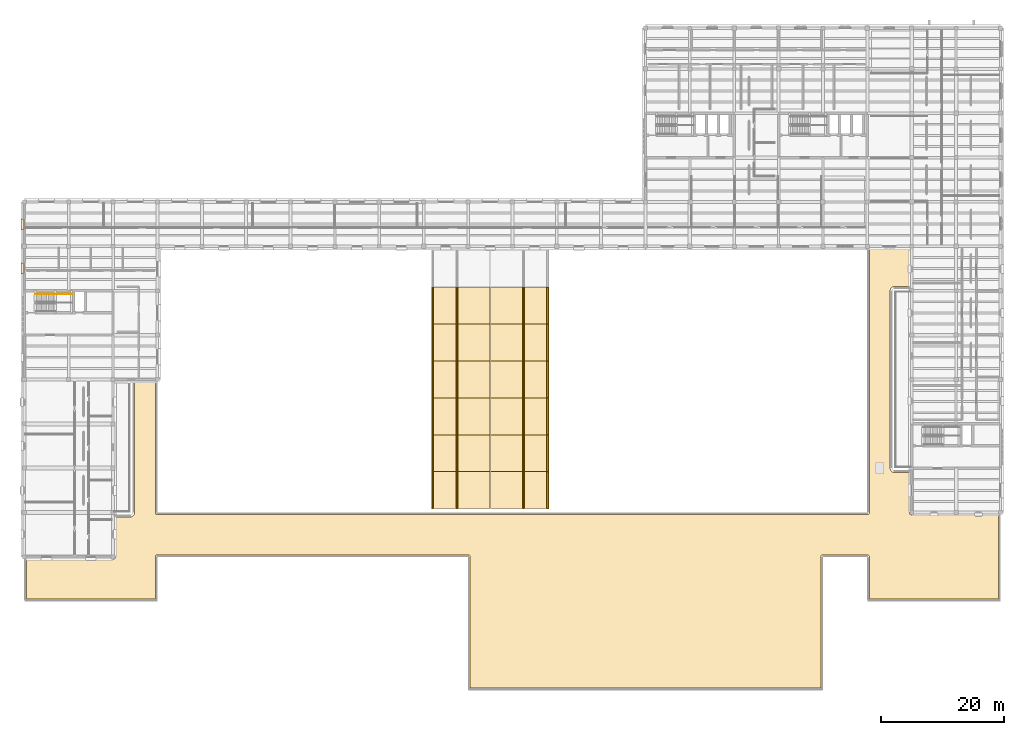
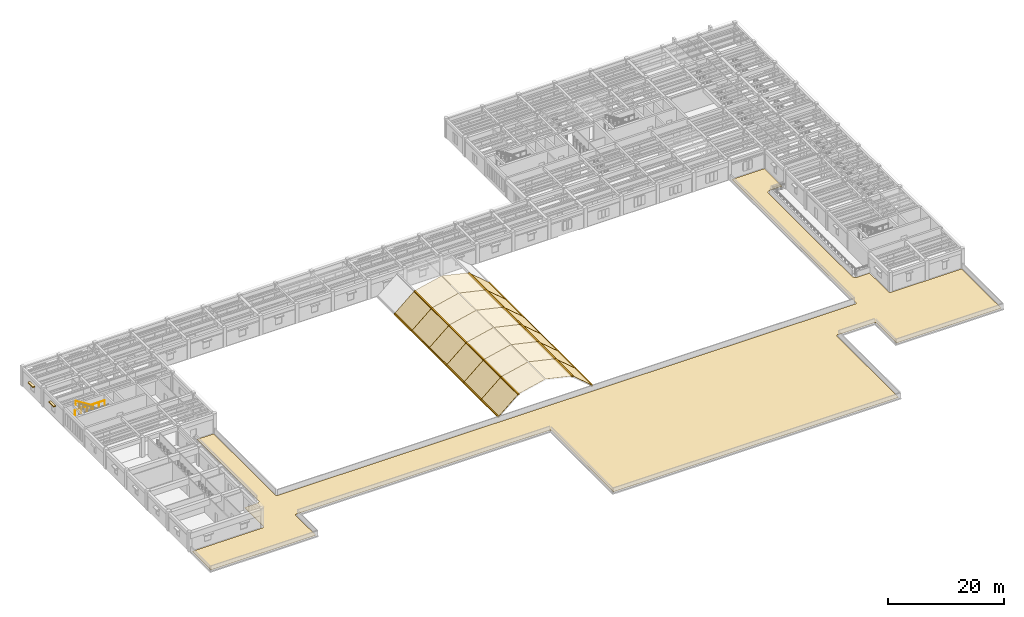
# One storey, part 35 of 40: 51 coverings, 2 railings.
"""IFC4 building model written with IfcOpenShell, lengths in metres."""

from ifc_helpers import new_model, si_unit, direction, frame, origin, origin_2d, place, context, subcontext, project, spatial, polyline, rectangle, circle, outline, extrude, material, layer, layer_set, type_object, element, save


model = new_model("IFC4")

# Units and contexts
model_context = context("Model", 3, precision=1e-05, world=origin(), true_north=direction((0.0, 1.0)))
body_context = subcontext(model_context, "Body", "Model", "MODEL_VIEW")
ifc_project = project(units=[si_unit("LENGTHUNIT", "METRE"), si_unit("AREAUNIT", "SQUARE_METRE"), si_unit("VOLUMEUNIT", "CUBIC_METRE"), si_unit("PLANEANGLEUNIT", "RADIAN"), si_unit("MASSUNIT", "GRAM", prefix="KILO")], contexts=[model_context])

# Site, building, storey
site_placement = place(None, origin())
site = spatial("IfcSite", under=ifc_project, at=site_placement, CompositionType="ELEMENT")
building_placement = place(site_placement, origin())
building = spatial("IfcBuilding", under=site, at=building_placement, Name="Mithqara Police Headquarters", CompositionType="ELEMENT")
storey_placement = place(building_placement, frame((0.0, 0.0, 13.800048828125)))
storey = spatial("IfcBuildingStorey", under=building, at=storey_placement, Name="L03", CompositionType="ELEMENT", Elevation=13.800048828125)

# Coverings
ifc_material_1 = material(Name="Limestone ashlar masonry, 45 MPa", Category="masonry")
ifc_layer_1 = layer(ifc_material_1, 0.320068359375, Name="Limestone ashlar masonry, 45 MPa")
ifc_layer_set_1 = layer_set([ifc_layer_1], Name="Limestone ashlar masonry, 45 MPa")
covering_type_1 = type_object("IfcCoveringType", Name="CORNICE LIMESTONE", PredefinedType="CLADDING", material=ifc_layer_set_1)
for number, where, z_axis, x_axis, name in (
    (1, (74.046875, 39.04296875, 0.1796875), (0.0, 0.0, 1.0), (1.0, 0.0, 0.0), "Arch Flashing Seam Trim B1-K1"),
    (2, (78.0, 39.04296875, 3.54736328125), (0.0, 0.0, 1.0), (1.0, 0.0, 0.0), "Arch Flashing Seam Trim B1-K2"),
    (3, (88.800048828125, 39.04296875, 3.54736328125), (0.0, 0.0, 1.0), (1.0, 0.0, 0.0), "Arch Flashing Seam Trim B1-K4"),
    (4, (92.753173828125, 39.04296875, 0.1796875), (0.0, 0.0, 1.0), (1.0, 0.0, 0.0), "Arch Flashing Seam Trim B1-K5"),
    (5, (74.046875, 45.028564453125, 0.1796875), (0.0, 0.0, 1.0), (1.0, 0.0, 0.0), "Arch Flashing Seam Trim B2-K1"),
    (6, (78.0, 45.028564453125, 3.54736328125), (0.0, 0.0, 1.0), (1.0, 0.0, 0.0), "Arch Flashing Seam Trim B2-K2"),
    (7, (88.800048828125, 45.028564453125, 3.54736328125), (0.0, 0.0, 1.0), (1.0, 0.0, 0.0), "Arch Flashing Seam Trim B2-K4"),
    (8, (92.753173828125, 45.028564453125, 0.1796875), (0.0, 0.0, 1.0), (1.0, 0.0, 0.0), "Arch Flashing Seam Trim B2-K5"),
    (9, (74.046875, 51.014404296875, 0.1796875), (0.0, 0.0, 1.0), (1.0, 0.0, 0.0), "Arch Flashing Seam Trim B3-K1"),
    (10, (78.0, 51.014404296875, 3.54736328125), (0.0, 0.0, 1.0), (1.0, 0.0, 0.0), "Arch Flashing Seam Trim B3-K2"),
    (11, (88.800048828125, 51.014404296875, 3.54736328125), (0.0, 0.0, 1.0), (1.0, 0.0, 0.0), "Arch Flashing Seam Trim B3-K4"),
    (12, (92.753173828125, 51.014404296875, 0.1796875), (0.0, 0.0, 1.0), (1.0, 0.0, 0.0), "Arch Flashing Seam Trim B3-K5"),
    (13, (74.046875, 57.0, 0.1796875), (0.0, 0.0, 1.0), (1.0, 0.0, 0.0), "Arch Flashing Seam Trim B4-K1"),
    (14, (78.0, 57.0, 3.54736328125), (0.0, 0.0, 1.0), (1.0, 0.0, 0.0), "Arch Flashing Seam Trim B4-K2"),
    (15, (88.800048828125, 57.0, 3.54736328125), (0.0, 0.0, 1.0), (1.0, 0.0, 0.0), "Arch Flashing Seam Trim B4-K4"),
    (16, (92.753173828125, 57.0, 0.1796875), (0.0, 0.0, 1.0), (1.0, 0.0, 0.0), "Arch Flashing Seam Trim B4-K5"),
    (17, (74.046875, 62.985595703125, 0.1796875), (0.0, 0.0, 1.0), (1.0, 0.0, 0.0), "Arch Flashing Seam Trim B5-K1"),
    (18, (78.0, 62.985595703125, 3.54736328125), (0.0, 0.0, 1.0), (1.0, 0.0, 0.0), "Arch Flashing Seam Trim B5-K2"),
    (19, (88.800048828125, 62.985595703125, 3.54736328125), (0.0, 0.0, 1.0), (1.0, 0.0, 0.0), "Arch Flashing Seam Trim B5-K4"),
    (20, (92.753173828125, 62.985595703125, 0.1796875), (0.0, 0.0, 1.0), (1.0, 0.0, 0.0), "Arch Flashing Seam Trim B5-K5"),
    (21, (74.046875, 68.971435546875, 0.1796875), (0.0, 0.0, 1.0), (1.0, 0.0, 0.0), "Arch Flashing Seam Trim B6-K1"),
    (22, (78.0, 68.971435546875, 3.54736328125), (0.0, 0.0, 1.0), (1.0, 0.0, 0.0), "Arch Flashing Seam Trim B6-K2"),
    (23, (88.800048828125, 68.971435546875, 3.54736328125), (0.0, 0.0, 1.0), (1.0, 0.0, 0.0), "Arch Flashing Seam Trim B6-K4"),
    (24, (92.753173828125, 68.971435546875, 0.1796875), (0.0, 0.0, 1.0), (1.0, 0.0, 0.0), "Arch Flashing Seam Trim B6-K5"),
):
    element("IfcCovering", number, at=place(storey_placement, frame(where, z_axis=z_axis, x_axis=x_axis)), inside=storey, type_object=covering_type_1, Name=name, PredefinedType="CLADDING", context=body_context, shape_type="SweptSolid", body=[
        extrude(rectangle(XDim=0.300048828125, YDim=6.02587890625, at=origin_2d()), origin(), (0.0, 0.0, 1.0), 0.300048828125),
    ])

# Railings
ifc_material_2 = material(Name="Steel S355JR", Category="steel")
railing_type_1 = type_object("IfcRailingType", Name="HANDRAIL 920", PredefinedType="HANDRAIL", material=ifc_material_2)
railing_1_placement = place(storey_placement, frame((12.830078125, 70.85009765625, 2.27490234375)))
element("IfcRailing", 25, at=railing_1_placement, inside=storey, type_object=railing_type_1, Name="L03 ST-03 stair handrail 2", PredefinedType="HANDRAIL", context=body_context, shape_type="SweptSolid", body=[
    extrude(circle(Radius=0.02392578125, at=origin_2d()), frame((0.0, 0.0, 0.8759765625), z_axis=(-0.847998304005, 0.0, 0.529998940003), x_axis=(0.0, -1.0, 0.0)), (0.0, 0.0, 1.0), 3.632080078125),
    extrude(circle(Radius=0.02099609375, at=origin_2d()), origin(), (0.0, 0.0, 1.0), 0.851806640625),
    extrude(circle(Radius=0.02099609375, at=origin_2d()), frame((-0.77001953125, 0.0, 0.481201171875)), (0.0, 0.0, 1.0), 0.851806640625),
    extrude(circle(Radius=0.02099609375, at=origin_2d()), frame((-1.5400390625, 0.0, 0.96240234375)), (0.0, 0.0, 1.0), 0.851806640625),
    extrude(circle(Radius=0.02099609375, at=origin_2d()), frame((-2.31005859375, 0.0, 1.44384765625)), (0.0, 0.0, 1.0), 0.851806640625),
    extrude(circle(Radius=0.02099609375, at=origin_2d()), frame((-3.080078125, 0.0, 1.925048828125)), (0.0, 0.0, 1.0), 0.851806640625),
])
railing_type_2 = type_object("IfcRailingType", Name="STAIR GUARD 1120", PredefinedType="GUARDRAIL", material=ifc_material_2)
railing_2_placement = place(storey_placement, frame((9.60009765625, 70.8798828125, 2.099853515625)))
element("IfcRailing", 26, at=railing_2_placement, inside=storey, type_object=railing_type_2, Name="L03 ST-03 Half-Landing Guard OUT", PredefinedType="GUARDRAIL", context=body_context, shape_type="SweptSolid", body=[
    extrude(circle(Radius=0.02392578125, at=origin_2d()), frame((0.0, 0.0, 1.09619140625), z_axis=(1.0, 0.0, 0.0), x_axis=(0.0, 1.0, 0.0)), (0.0, 0.0, 1.0), 5.97998046875),
    extrude(circle(Radius=0.02099609375, at=origin_2d()), origin(), (0.0, 0.0, 1.0), 1.072021484375),
    extrude(circle(Radius=0.02099609375, at=origin_2d()), frame((1.196044921875, 0.0, 0.0)), (0.0, 0.0, 1.0), 1.072021484375),
    extrude(circle(Radius=0.02099609375, at=origin_2d()), frame((2.39208984375, 0.0, 0.0)), (0.0, 0.0, 1.0), 1.072021484375),
    extrude(circle(Radius=0.02099609375, at=origin_2d()), frame((3.587890625, 0.0, 0.0)), (0.0, 0.0, 1.0), 1.072021484375),
    extrude(circle(Radius=0.02099609375, at=origin_2d()), frame((4.783935546875, 0.0, 0.0)), (0.0, 0.0, 1.0), 1.072021484375),
    extrude(circle(Radius=0.02099609375, at=origin_2d()), frame((5.97998046875, 0.0, 0.0)), (0.0, 0.0, 1.0), 1.072021484375),
])

# Coverings
ifc_material_3 = material(Name="Standing seam zinc-aluminium roofing", Category="aluminium")
ifc_layer_2 = layer(ifc_material_3, 0.0400390625, Name="Standing seam zinc-aluminium roofing")
ifc_layer_set_2 = layer_set([ifc_layer_2], Name="Standing seam zinc-aluminium roofing")
covering_type_2 = type_object("IfcCoveringType", Name="STANDING SEAM ROOFING", PredefinedType="ROOFING", material=ifc_layer_set_2)
covering_1_placement = place(storey_placement, origin())
element("IfcCovering", 27, at=covering_1_placement, inside=storey, type_object=covering_type_2, Name="L03 Insulated Roof Waterproofing ROOF-L02-00", PredefinedType="ROOFING", context=body_context, shape_type="SweptSolid", body=[
    extrude(outline(polyline([(13.681884765625, 27.849609375), (13.68701171875, 27.84765625), (13.688720703125, 27.84716796875), (13.705078125, 27.84228515625), (13.70703125, 27.841796875), (13.741455078125, 27.834716796875), (13.743408203125, 27.83447265625), (13.780517578125, 27.83056640625), (13.782470703125, 27.830322265625), (13.800048828125, 27.830078125), (22.199951171875, 27.830078125), (22.217529296875, 27.830322265625), (22.219482421875, 27.83056640625), (22.256591796875, 27.83447265625), (22.258544921875, 27.834716796875), (22.29296875, 27.841796875), (22.294921875, 27.84228515625), (22.311279296875, 27.84716796875), (22.31298828125, 27.84765625), (22.3427734375, 27.858642578125), (22.37158203125, 27.872314453125), (22.373291015625, 27.873046875), (22.386962890625, 27.880615234375), (22.388671875, 27.881591796875), (22.409423828125, 27.89501953125), (22.410888671875, 27.89599609375), (22.4365234375, 27.915283203125), (22.460205078125, 27.93701171875), (22.462890625, 27.939697265625), (22.484619140625, 27.96337890625), (22.50390625, 27.989013671875), (22.5048828125, 27.990478515625), (22.518310546875, 28.011474609375), (22.519287109375, 28.01318359375), (22.52685546875, 28.02685546875), (22.52783203125, 28.028564453125), (22.54150390625, 28.05712890625), (22.55224609375, 28.0869140625), (22.552978515625, 28.0888671875), (22.5576171875, 28.10498046875), (22.55810546875, 28.10693359375), (22.565185546875, 28.1416015625), (22.565673828125, 28.143310546875), (22.569580078125, 28.180419921875), (22.569580078125, 28.1826171875), (22.570068359375, 28.199951171875), (22.570068359375, 34.699951171875), (25.0, 34.699951171875), (25.017333984375, 34.700439453125), (25.051513671875, 34.7021484375), (25.085205078125, 34.705322265625), (25.119140625, 34.71044921875), (25.15380859375, 34.71728515625), (25.187255859375, 34.7255859375), (25.218994140625, 34.7353515625), (25.251220703125, 34.746826171875), (25.283447265625, 34.76025390625), (25.314697265625, 34.77490234375), (25.345458984375, 34.79150390625), (25.375, 34.80908203125), (25.40234375, 34.827392578125), (25.429931640625, 34.847900390625), (25.45703125, 34.8701171875), (25.482421875, 34.89306640625), (25.5068359375, 34.91748046875), (25.530029296875, 34.943115234375), (25.552001953125, 34.969970703125), (25.572509765625, 34.99755859375), (25.5908203125, 35.025146484375), (25.608642578125, 35.054443359375), (25.625, 35.08544921875), (25.639892578125, 35.116455078125), (25.653076171875, 35.148681640625), (25.66455078125, 35.180908203125), (25.67431640625, 35.212890625), (25.6826171875, 35.24609375), (25.689697265625, 35.28076171875), (25.694580078125, 35.314697265625), (25.697998046875, 35.348388671875), (25.69970703125, 35.3828125), (25.699951171875, 35.39990234375), (25.699951171875, 56.6298828125), (29.050048828125, 56.6298828125), (29.050048828125, 35.39990234375), (29.0517578125, 35.36572265625), (29.056640625, 35.331787109375), (29.065185546875, 35.29833984375), (29.07666015625, 35.26611328125), (29.09130859375, 35.235107421875), (29.10888671875, 35.20556640625), (29.12939453125, 35.177978515625), (29.152587890625, 35.152587890625), (29.177978515625, 35.12939453125), (29.20556640625, 35.10888671875), (29.235107421875, 35.09130859375), (29.26611328125, 35.07666015625), (29.29833984375, 35.065185546875), (29.331787109375, 35.056640625), (29.36572265625, 35.0517578125), (29.39990234375, 35.050048828125), (144.60009765625, 35.050048828125), (144.63427734375, 35.0517578125), (144.668212890625, 35.056640625), (144.70166015625, 35.065185546875), (144.73388671875, 35.07666015625), (144.764892578125, 35.09130859375), (144.79443359375, 35.10888671875), (144.822021484375, 35.12939453125), (144.847412109375, 35.152587890625), (144.87060546875, 35.177978515625), (144.89111328125, 35.20556640625), (144.90869140625, 35.235107421875), (144.92333984375, 35.26611328125), (144.934814453125, 35.29833984375), (144.943359375, 35.331787109375), (144.9482421875, 35.36572265625), (144.949951171875, 35.39990234375), (144.949951171875, 78.22998046875), (146.39990234375, 78.22998046875), (146.41748046875, 78.23046875), (146.41943359375, 78.23046875), (146.45654296875, 78.234375), (146.45849609375, 78.234619140625), (146.4716796875, 78.237548828125), (150.481689453125, 78.249755859375), (150.48681640625, 78.247802734375), (150.48876953125, 78.2470703125), (150.505126953125, 78.242431640625), (150.507080078125, 78.241943359375), (150.54150390625, 78.234619140625), (150.54345703125, 78.234375), (150.58056640625, 78.23046875), (150.58251953125, 78.23046875), (150.60009765625, 78.22998046875), (151.429931640625, 78.22998046875), (151.429931640625, 72.10009765625), (149.0, 72.10009765625), (148.982666015625, 72.099609375), (148.948486328125, 72.097900390625), (148.914794921875, 72.094482421875), (148.880859375, 72.089599609375), (148.84619140625, 72.082763671875), (148.812744140625, 72.07421875), (148.781005859375, 72.064697265625), (148.748779296875, 72.052978515625), (148.716552734375, 72.039794921875), (148.685302734375, 72.025146484375), (148.654541015625, 72.008544921875), (148.625, 71.990966796875), (148.59765625, 71.972412109375), (148.570068359375, 71.9521484375), (148.54296875, 71.929931640625), (148.517578125, 71.906982421875), (148.4931640625, 71.882568359375), (148.469970703125, 71.85693359375), (148.447998046875, 71.830078125), (148.427490234375, 71.802490234375), (148.4091796875, 71.77490234375), (148.391357421875, 71.74560546875), (148.375, 71.714599609375), (148.360107421875, 71.68359375), (148.346923828125, 71.6513671875), (148.33544921875, 71.618896484375), (148.32568359375, 71.587158203125), (148.3173828125, 71.553955078125), (148.310302734375, 71.519287109375), (148.305419921875, 71.485107421875), (148.302001953125, 71.45166015625), (148.30029296875, 71.417236328125), (148.300048828125, 71.39990234375), (148.300048828125, 42.60009765625), (148.30029296875, 42.582763671875), (148.302001953125, 42.54833984375), (148.305419921875, 42.514892578125), (148.310302734375, 42.480712890625), (148.3173828125, 42.446044921875), (148.32568359375, 42.412841796875), (148.33544921875, 42.381103515625), (148.346923828125, 42.3486328125), (148.360107421875, 42.31640625), (148.375, 42.285400390625), (148.391357421875, 42.25439453125), (148.4091796875, 42.22509765625), (148.427490234375, 42.197509765625), (148.447998046875, 42.169921875), (148.469970703125, 42.14306640625), (148.4931640625, 42.117431640625), (148.517578125, 42.093017578125), (148.54296875, 42.070068359375), (148.570068359375, 42.0478515625), (148.59765625, 42.027587890625), (148.625, 42.009033203125), (148.654541015625, 41.991455078125), (148.685302734375, 41.974853515625), (148.716552734375, 41.960205078125), (148.748779296875, 41.947021484375), (148.781005859375, 41.935302734375), (148.812744140625, 41.92578125), (148.84619140625, 41.917236328125), (148.880859375, 41.910400390625), (148.914794921875, 41.905517578125), (148.948486328125, 41.902099609375), (148.982666015625, 41.900390625), (149.0, 41.89990234375), (151.429931640625, 41.89990234375), (151.429931640625, 35.39990234375), (151.430419921875, 35.382568359375), (151.430419921875, 35.380615234375), (151.434326171875, 35.343505859375), (151.434814453125, 35.341552734375), (151.44189453125, 35.306884765625), (151.4423828125, 35.30517578125), (151.447021484375, 35.288818359375), (151.44775390625, 35.286865234375), (151.45849609375, 35.257080078125), (151.47216796875, 35.228515625), (151.47314453125, 35.226806640625), (151.480712890625, 35.213134765625), (151.481689453125, 35.21142578125), (151.4951171875, 35.190673828125), (151.49609375, 35.18896484375), (151.515380859375, 35.16357421875), (151.537109375, 35.139892578125), (151.538330078125, 35.138427734375), (151.539794921875, 35.136962890625), (151.5634765625, 35.115478515625), (151.589111328125, 35.09619140625), (151.590576171875, 35.094970703125), (151.611328125, 35.081787109375), (151.613037109375, 35.080810546875), (151.626708984375, 35.072998046875), (151.62841796875, 35.072265625), (151.6572265625, 35.05859375), (151.68701171875, 35.047607421875), (151.688720703125, 35.047119140625), (151.705078125, 35.04248046875), (151.70703125, 35.0419921875), (151.741455078125, 35.03466796875), (151.743408203125, 35.034423828125), (151.780517578125, 35.030517578125), (151.782470703125, 35.030517578125), (151.800048828125, 35.030029296875), (153.60009765625, 35.030029296875), (153.601806640625, 35.030029296875), (157.681884765625, 35.049560546875), (157.68701171875, 35.047607421875), (157.688720703125, 35.047119140625), (157.705078125, 35.04248046875), (157.70703125, 35.0419921875), (157.741455078125, 35.03466796875), (157.743408203125, 35.034423828125), (157.780517578125, 35.030517578125), (157.782470703125, 35.030517578125), (157.800048828125, 35.030029296875), (165.85009765625, 35.030029296875), (165.85009765625, 21.35009765625), (144.949951171875, 21.35009765625), (144.949951171875, 28.199951171875), (144.9482421875, 28.234375), (144.943359375, 28.268310546875), (144.934814453125, 28.301513671875), (144.92333984375, 28.333984375), (144.90869140625, 28.364990234375), (144.89111328125, 28.394287109375), (144.87060546875, 28.422119140625), (144.847412109375, 28.447509765625), (144.822021484375, 28.470703125), (144.79443359375, 28.490966796875), (144.764892578125, 28.5087890625), (144.73388671875, 28.5234375), (144.70166015625, 28.534912109375), (144.668212890625, 28.543212890625), (144.63427734375, 28.54833984375), (144.60009765625, 28.550048828125), (137.39990234375, 28.550048828125), (137.36572265625, 28.54833984375), (137.331787109375, 28.543212890625), (137.29833984375, 28.534912109375), (137.26611328125, 28.5234375), (137.235107421875, 28.5087890625), (137.20556640625, 28.490966796875), (137.177978515625, 28.470703125), (137.152587890625, 28.447509765625), (137.12939453125, 28.422119140625), (137.10888671875, 28.394287109375), (137.09130859375, 28.364990234375), (137.07666015625, 28.333984375), (137.065185546875, 28.301513671875), (137.056640625, 28.268310546875), (137.0517578125, 28.234375), (137.050048828125, 28.199951171875), (137.050048828125, 6.949951171875), (80.14990234375, 6.949951171875), (80.14990234375, 28.199951171875), (80.148193359375, 28.234375), (80.143310546875, 28.268310546875), (80.135009765625, 28.301513671875), (80.123291015625, 28.333984375), (80.108642578125, 28.364990234375), (80.091064453125, 28.394287109375), (80.070556640625, 28.422119140625), (80.047607421875, 28.447509765625), (80.02197265625, 28.470703125), (79.994384765625, 28.490966796875), (79.965087890625, 28.5087890625), (79.933837890625, 28.5234375), (79.901611328125, 28.534912109375), (79.868408203125, 28.543212890625), (79.834228515625, 28.54833984375), (79.800048828125, 28.550048828125), (29.39990234375, 28.550048828125), (29.36572265625, 28.54833984375), (29.331787109375, 28.543212890625), (29.29833984375, 28.534912109375), (29.26611328125, 28.5234375), (29.235107421875, 28.5087890625), (29.20556640625, 28.490966796875), (29.177978515625, 28.470703125), (29.152587890625, 28.447509765625), (29.12939453125, 28.422119140625), (29.10888671875, 28.394287109375), (29.09130859375, 28.364990234375), (29.07666015625, 28.333984375), (29.065185546875, 28.301513671875), (29.056640625, 28.268310546875), (29.0517578125, 28.234375), (29.050048828125, 28.199951171875), (29.050048828125, 21.35009765625), (8.14990234375, 21.35009765625), (8.14990234375, 27.830078125), (9.60009765625, 27.830078125), (9.601806640625, 27.830078125), (13.681884765625, 27.849609375)])), origin(), (0.0, 0.0, 1.0), 0.0400390625),
])
covering_2_placement = place(storey_placement, frame((74.0986328125, 36.052978515625, 0.484130859375), z_axis=(-0.648438477764, 0.0, 0.761267062571), x_axis=(0.761267062571, 0.0, 0.648438477764)))
element("IfcCovering", 28, at=covering_2_placement, inside=storey, type_object=covering_type_2, Name="Public Entrance Hall Barrel Vault Shell Strip Bay 1 Facet 2 Standing-Seam Metal Cladding", PredefinedType="ROOFING", context=body_context, shape_type="SweptSolid", body=[
    extrude(outline(polyline([(0.0, 0.0), (5.056844784537099, 0.0), (5.056844784537099, 5.979736328125), (0.0, 5.979736328125), (0.0, 0.0)])), origin(), (0.0, 0.0, -1.0), 0.0400390625),
])
for number, where, z_axis, x_axis, name in (
    (29, (78.06640625, 36.052978515625, 3.822509765625), (-0.222548724281, 0.0, 0.974921568805), (0.974921568805, 0.0, 0.222548724281), "Public Entrance Hall Barrel Vault Shell Strip Bay 1 Facet 3 Standing-Seam Metal Cladding"),
    (30, (83.46630859375, 36.052978515625, 5.02490234375), (0.222548724281, 0.0, 0.974921568805), (0.974921568805, 0.0, -0.222548724281), "Public Entrance Hall Barrel Vault Shell Strip Bay 1 Facet 4 Standing-Seam Metal Cladding"),
):
    element("IfcCovering", number, at=place(storey_placement, frame(where, z_axis=z_axis, x_axis=x_axis)), inside=storey, type_object=covering_type_2, Name=name, PredefinedType="ROOFING", context=body_context, shape_type="SweptSolid", body=[
        extrude(outline(polyline([(0.0, 0.0), (5.4028284458126095, 0.0), (5.4028284458126095, 5.979736328125001), (0.0, 5.979736328125001), (0.0, 0.0)])), origin(), (0.0, 0.0, -1.0), 0.0400390625),
    ])
covering_3_placement = place(storey_placement, frame((88.851806640625, 36.052978515625, 3.76318359375), z_axis=(0.648438477764, 0.0, 0.761267062571), x_axis=(0.761267062571, 0.0, -0.648438477764)))
element("IfcCovering", 31, at=covering_3_placement, inside=storey, type_object=covering_type_2, Name="Public Entrance Hall Barrel Vault Shell Strip Bay 1 Facet 5 Standing-Seam Metal Cladding", PredefinedType="ROOFING", context=body_context, shape_type="SweptSolid", body=[
    extrude(outline(polyline([(0.0, 0.0), (5.056844784537099, 0.0), (5.056844784537099, 5.979736328125), (0.0, 5.979736328125), (0.0, 0.0)])), origin(), (0.0, 0.0, -1.0), 0.0400390625),
])
covering_4_placement = place(storey_placement, frame((74.0986328125, 42.038818359375, 0.484130859375), z_axis=(-0.648438477764, 0.0, 0.761267062571), x_axis=(0.761267062571, 0.0, 0.648438477764)))
element("IfcCovering", 32, at=covering_4_placement, inside=storey, type_object=covering_type_2, Name="Public Entrance Hall Barrel Vault Shell Strip Bay 2 Facet 2 Standing-Seam Metal Cladding", PredefinedType="ROOFING", context=body_context, shape_type="SweptSolid", body=[
    extrude(outline(polyline([(0.0, 0.0), (5.056844784537099, 0.0), (5.056844784537099, 5.979492187500001), (0.0, 5.979492187500001), (0.0, 0.0)])), origin(), (0.0, 0.0, -1.0), 0.0400390625),
])
for number, where, z_axis, x_axis, name in (
    (33, (78.06640625, 42.038818359375, 3.822509765625), (-0.222548724281, 0.0, 0.974921568805), (0.974921568805, 0.0, 0.222548724281), "Public Entrance Hall Barrel Vault Shell Strip Bay 2 Facet 3 Standing-Seam Metal Cladding"),
    (34, (83.46630859375, 42.038818359375, 5.02490234375), (0.222548724281, 0.0, 0.974921568805), (0.974921568805, 0.0, -0.222548724281), "Public Entrance Hall Barrel Vault Shell Strip Bay 2 Facet 4 Standing-Seam Metal Cladding"),
):
    element("IfcCovering", number, at=place(storey_placement, frame(where, z_axis=z_axis, x_axis=x_axis)), inside=storey, type_object=covering_type_2, Name=name, PredefinedType="ROOFING", context=body_context, shape_type="SweptSolid", body=[
        extrude(outline(polyline([(0.0, 0.0), (5.4028284458126095, 0.0), (5.4028284458126095, 5.9794921875), (0.0, 5.9794921875), (0.0, 0.0)])), origin(), (0.0, 0.0, -1.0), 0.0400390625),
    ])
covering_5_placement = place(storey_placement, frame((88.851806640625, 42.038818359375, 3.76318359375), z_axis=(0.648438477764, 0.0, 0.761267062571), x_axis=(0.761267062571, 0.0, -0.648438477764)))
element("IfcCovering", 35, at=covering_5_placement, inside=storey, type_object=covering_type_2, Name="Public Entrance Hall Barrel Vault Shell Strip Bay 2 Facet 5 Standing-Seam Metal Cladding", PredefinedType="ROOFING", context=body_context, shape_type="SweptSolid", body=[
    extrude(outline(polyline([(0.0, 0.0), (5.056844784537099, 0.0), (5.056844784537099, 5.979492187500001), (0.0, 5.979492187500001), (0.0, 0.0)])), origin(), (0.0, 0.0, -1.0), 0.0400390625),
])
covering_6_placement = place(storey_placement, frame((74.0986328125, 48.0244140625, 0.484130859375), z_axis=(-0.648438477764, 0.0, 0.761267062571), x_axis=(0.761267062571, 0.0, 0.648438477764)))
element("IfcCovering", 36, at=covering_6_placement, inside=storey, type_object=covering_type_2, Name="Public Entrance Hall Barrel Vault Shell Strip Bay 3 Facet 2 Standing-Seam Metal Cladding", PredefinedType="ROOFING", context=body_context, shape_type="SweptSolid", body=[
    extrude(outline(polyline([(0.0, 0.0), (5.056844784537099, 0.0), (5.056844784537099, 5.979736328125), (0.0, 5.979736328125), (0.0, 0.0)])), origin(), (0.0, 0.0, -1.0), 0.0400390625),
])
for number, where, z_axis, x_axis, name in (
    (37, (78.06640625, 48.0244140625, 3.822509765625), (-0.222548724281, 0.0, 0.974921568805), (0.974921568805, 0.0, 0.222548724281), "Public Entrance Hall Barrel Vault Shell Strip Bay 3 Facet 3 Standing-Seam Metal Cladding"),
    (38, (83.46630859375, 48.0244140625, 5.02490234375), (0.222548724281, 0.0, 0.974921568805), (0.974921568805, 0.0, -0.222548724281), "Public Entrance Hall Barrel Vault Shell Strip Bay 3 Facet 4 Standing-Seam Metal Cladding"),
):
    element("IfcCovering", number, at=place(storey_placement, frame(where, z_axis=z_axis, x_axis=x_axis)), inside=storey, type_object=covering_type_2, Name=name, PredefinedType="ROOFING", context=body_context, shape_type="SweptSolid", body=[
        extrude(outline(polyline([(0.0, 0.0), (5.4028284458126095, 0.0), (5.4028284458126095, 5.979736328125001), (0.0, 5.979736328125001), (0.0, 0.0)])), origin(), (0.0, 0.0, -1.0), 0.0400390625),
    ])
covering_7_placement = place(storey_placement, frame((88.851806640625, 48.0244140625, 3.76318359375), z_axis=(0.648438477764, 0.0, 0.761267062571), x_axis=(0.761267062571, 0.0, -0.648438477764)))
element("IfcCovering", 39, at=covering_7_placement, inside=storey, type_object=covering_type_2, Name="Public Entrance Hall Barrel Vault Shell Strip Bay 3 Facet 5 Standing-Seam Metal Cladding", PredefinedType="ROOFING", context=body_context, shape_type="SweptSolid", body=[
    extrude(outline(polyline([(0.0, 0.0), (5.056844784537099, 0.0), (5.056844784537099, 5.979736328125), (0.0, 5.979736328125), (0.0, 0.0)])), origin(), (0.0, 0.0, -1.0), 0.0400390625),
])
covering_8_placement = place(storey_placement, frame((74.0986328125, 54.010009765625, 0.484130859375), z_axis=(-0.648438477764, 0.0, 0.761267062571), x_axis=(0.761267062571, 0.0, 0.648438477764)))
element("IfcCovering", 40, at=covering_8_placement, inside=storey, type_object=covering_type_2, Name="Public Entrance Hall Barrel Vault Shell Strip Bay 4 Facet 2 Standing-Seam Metal Cladding", PredefinedType="ROOFING", context=body_context, shape_type="SweptSolid", body=[
    extrude(outline(polyline([(0.0, 0.0), (5.056844784537099, 0.0), (5.056844784537099, 5.979980468750001), (0.0, 5.979980468750001), (0.0, 0.0)])), origin(), (0.0, 0.0, -1.0), 0.0400390625),
])
for number, where, z_axis, x_axis, name in (
    (41, (78.06640625, 54.010009765625, 3.822509765625), (-0.222548724281, 0.0, 0.974921568805), (0.974921568805, 0.0, 0.222548724281), "Public Entrance Hall Barrel Vault Shell Strip Bay 4 Facet 3 Standing-Seam Metal Cladding"),
    (42, (83.46630859375, 54.010009765625, 5.02490234375), (0.222548724281, 0.0, 0.974921568805), (0.974921568805, 0.0, -0.222548724281), "Public Entrance Hall Barrel Vault Shell Strip Bay 4 Facet 4 Standing-Seam Metal Cladding"),
):
    element("IfcCovering", number, at=place(storey_placement, frame(where, z_axis=z_axis, x_axis=x_axis)), inside=storey, type_object=covering_type_2, Name=name, PredefinedType="ROOFING", context=body_context, shape_type="SweptSolid", body=[
        extrude(outline(polyline([(0.0, 0.0), (5.4028284458126095, 0.0), (5.4028284458126095, 5.979980468749999), (0.0, 5.979980468749999), (0.0, 0.0)])), origin(), (0.0, 0.0, -1.0), 0.0400390625),
    ])
covering_9_placement = place(storey_placement, frame((88.851806640625, 54.010009765625, 3.76318359375), z_axis=(0.648438477764, 0.0, 0.761267062571), x_axis=(0.761267062571, 0.0, -0.648438477764)))
element("IfcCovering", 43, at=covering_9_placement, inside=storey, type_object=covering_type_2, Name="Public Entrance Hall Barrel Vault Shell Strip Bay 4 Facet 5 Standing-Seam Metal Cladding", PredefinedType="ROOFING", context=body_context, shape_type="SweptSolid", body=[
    extrude(outline(polyline([(0.0, 0.0), (5.056844784537099, 0.0), (5.056844784537099, 5.979980468750001), (0.0, 5.979980468750001), (0.0, 0.0)])), origin(), (0.0, 0.0, -1.0), 0.0400390625),
])
covering_10_placement = place(storey_placement, frame((74.0986328125, 59.995849609375, 0.484130859375), z_axis=(-0.648438477764, 0.0, 0.761267062571), x_axis=(0.761267062571, 0.0, 0.648438477764)))
element("IfcCovering", 44, at=covering_10_placement, inside=storey, type_object=covering_type_2, Name="Public Entrance Hall Barrel Vault Shell Strip Bay 5 Facet 2 Standing-Seam Metal Cladding", PredefinedType="ROOFING", context=body_context, shape_type="SweptSolid", body=[
    extrude(outline(polyline([(0.0, 0.0), (5.056844784537099, 0.0), (5.056844784537099, 5.979736328125), (0.0, 5.979736328125), (0.0, 0.0)])), origin(), (0.0, 0.0, -1.0), 0.0400390625),
])
for number, where, z_axis, x_axis, name in (
    (45, (78.06640625, 59.995849609375, 3.822509765625), (-0.222548724281, 0.0, 0.974921568805), (0.974921568805, 0.0, 0.222548724281), "Public Entrance Hall Barrel Vault Shell Strip Bay 5 Facet 3 Standing-Seam Metal Cladding"),
    (46, (83.46630859375, 59.995849609375, 5.02490234375), (0.222548724281, 0.0, 0.974921568805), (0.974921568805, 0.0, -0.222548724281), "Public Entrance Hall Barrel Vault Shell Strip Bay 5 Facet 4 Standing-Seam Metal Cladding"),
):
    element("IfcCovering", number, at=place(storey_placement, frame(where, z_axis=z_axis, x_axis=x_axis)), inside=storey, type_object=covering_type_2, Name=name, PredefinedType="ROOFING", context=body_context, shape_type="SweptSolid", body=[
        extrude(outline(polyline([(0.0, 0.0), (5.4028284458126095, 0.0), (5.4028284458126095, 5.979736328125001), (0.0, 5.979736328125001), (0.0, 0.0)])), origin(), (0.0, 0.0, -1.0), 0.0400390625),
    ])
covering_11_placement = place(storey_placement, frame((88.851806640625, 59.995849609375, 3.76318359375), z_axis=(0.648438477764, 0.0, 0.761267062571), x_axis=(0.761267062571, 0.0, -0.648438477764)))
element("IfcCovering", 47, at=covering_11_placement, inside=storey, type_object=covering_type_2, Name="Public Entrance Hall Barrel Vault Shell Strip Bay 5 Facet 5 Standing-Seam Metal Cladding", PredefinedType="ROOFING", context=body_context, shape_type="SweptSolid", body=[
    extrude(outline(polyline([(0.0, 0.0), (5.056844784537099, 0.0), (5.056844784537099, 5.979736328125), (0.0, 5.979736328125), (0.0, 0.0)])), origin(), (0.0, 0.0, -1.0), 0.0400390625),
])
covering_12_placement = place(storey_placement, frame((74.0986328125, 65.981689453125, 0.484130859375), z_axis=(-0.648438477764, 0.0, 0.761267062571), x_axis=(0.761267062571, 0.0, 0.648438477764)))
element("IfcCovering", 48, at=covering_12_placement, inside=storey, type_object=covering_type_2, Name="Public Entrance Hall Barrel Vault Shell Strip Bay 6 Facet 2 Standing-Seam Metal Cladding", PredefinedType="ROOFING", context=body_context, shape_type="SweptSolid", body=[
    extrude(outline(polyline([(0.0, 0.0), (5.056844784537099, 0.0), (5.056844784537099, 5.979492187500001), (0.0, 5.979492187500001), (0.0, 0.0)])), origin(), (0.0, 0.0, -1.0), 0.0400390625),
])
for number, where, z_axis, x_axis, name in (
    (49, (78.06640625, 65.981689453125, 3.822509765625), (-0.222548724281, 0.0, 0.974921568805), (0.974921568805, 0.0, 0.222548724281), "Public Entrance Hall Barrel Vault Shell Strip Bay 6 Facet 3 Standing-Seam Metal Cladding"),
    (50, (83.46630859375, 65.981689453125, 5.02490234375), (0.222548724281, 0.0, 0.974921568805), (0.974921568805, 0.0, -0.222548724281), "Public Entrance Hall Barrel Vault Shell Strip Bay 6 Facet 4 Standing-Seam Metal Cladding"),
):
    element("IfcCovering", number, at=place(storey_placement, frame(where, z_axis=z_axis, x_axis=x_axis)), inside=storey, type_object=covering_type_2, Name=name, PredefinedType="ROOFING", context=body_context, shape_type="SweptSolid", body=[
        extrude(outline(polyline([(0.0, 0.0), (5.4028284458126095, 0.0), (5.4028284458126095, 5.9794921875), (0.0, 5.9794921875), (0.0, 0.0)])), origin(), (0.0, 0.0, -1.0), 0.0400390625),
    ])
covering_13_placement = place(storey_placement, frame((88.851806640625, 65.981689453125, 3.76318359375), z_axis=(0.648438477764, 0.0, 0.761267062571), x_axis=(0.761267062571, 0.0, -0.648438477764)))
element("IfcCovering", 51, at=covering_13_placement, inside=storey, type_object=covering_type_2, Name="Public Entrance Hall Barrel Vault Shell Strip Bay 6 Facet 5 Standing-Seam Metal Cladding", PredefinedType="ROOFING", context=body_context, shape_type="SweptSolid", body=[
    extrude(outline(polyline([(0.0, 0.0), (5.056844784537099, 0.0), (5.056844784537099, 5.979492187500001), (0.0, 5.979492187500001), (0.0, 0.0)])), origin(), (0.0, 0.0, -1.0), 0.0400390625),
])
ifc_layer_3 = layer(ifc_material_1, 0.239990234375, Name="Limestone ashlar masonry, 45 MPa")
ifc_layer_set_3 = layer_set([ifc_layer_3], Name="Limestone ashlar masonry, 45 MPa")
covering_type_3 = type_object("IfcCoveringType", Name="WINDOW HOOD LIMESTONE", PredefinedType="CLADDING", material=ifc_layer_set_3)
for number, where, z_axis, x_axis, name in (
    (52, (7.4599609375, 82.199951171875, 2.3701171875), (0.0, 0.0, 1.0), (0.0, 1.0, 0.0), "L03 Limestone Window Architrave Hood 16.1"),
    (53, (7.4599609375, 75.02001953125, 2.6201171875), (0.0, 0.0, 1.0), (0.0, 1.0, 0.0), "L03 Limestone Window Architrave Hood 17.1"),
):
    element("IfcCovering", number, at=place(storey_placement, frame(where, z_axis=z_axis, x_axis=x_axis)), inside=storey, type_object=covering_type_3, Name=name, PredefinedType="CLADDING", context=body_context, shape_type="SweptSolid", body=[
        extrude(rectangle(XDim=1.739990234375, YDim=0.4599609375, at=origin_2d()), origin(), (0.0, 0.0, 1.0), 0.219970703125),
    ])

save(model, "model.ifc")
